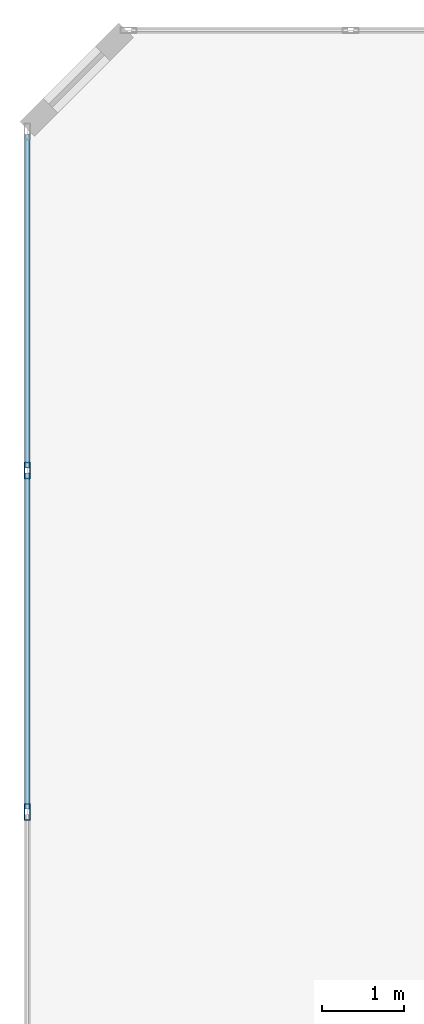
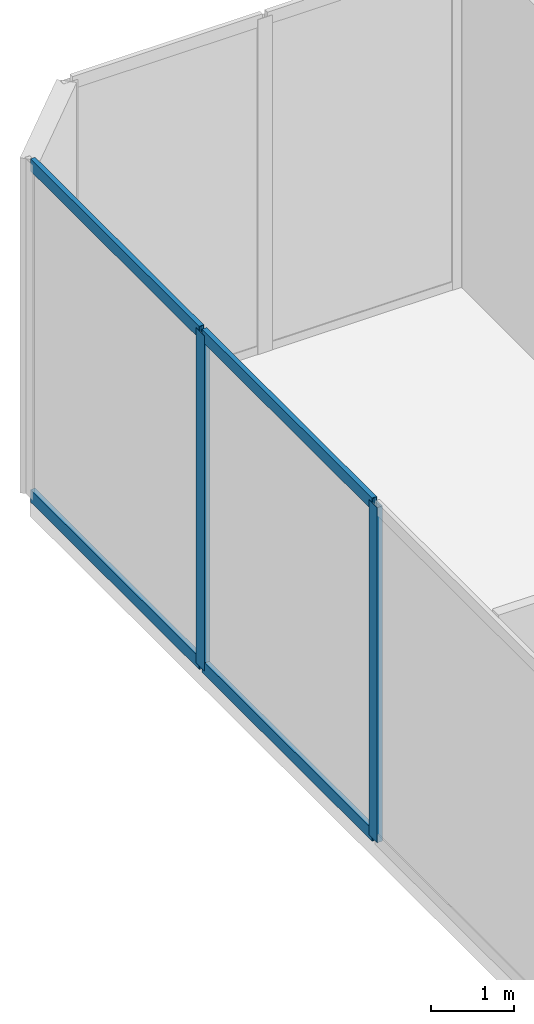
# One storey, part 4 of 10: 6 members, 1 element without a shape of its own.
"""IFC4 building model written with IfcOpenShell, lengths in metres."""

from ifc_helpers import new_model, si_unit, direction, frame, origin, origin_2d, place, context, subcontext, project, spatial, hollow_rectangle, extrude, material, layer, layer_set, material_profile, profile_set, type_object, element, aggregate, save


model = new_model("IFC4")

# Units and contexts
model_context = context("Model", 3, precision=1e-05, world=origin(), true_north=direction((0.0, 1.0)))
body_context = subcontext(model_context, "Body", "Model", "MODEL_VIEW")
ifc_project = project(units=[si_unit("LENGTHUNIT", "METRE"), si_unit("AREAUNIT", "SQUARE_METRE"), si_unit("VOLUMEUNIT", "CUBIC_METRE"), si_unit("PLANEANGLEUNIT", "RADIAN"), si_unit("MASSUNIT", "GRAM", prefix="KILO")], contexts=[model_context])

# Site, building, storey
site_placement = place(None, origin())
site = spatial("IfcSite", under=ifc_project, at=site_placement, CompositionType="ELEMENT")
building_placement = place(site_placement, origin())
building = spatial("IfcBuilding", under=site, at=building_placement, Name="Catumbela Crestline Tower", CompositionType="ELEMENT")
storey_placement = place(building_placement, frame((0.0, 0.0, 295.8)))
storey = spatial("IfcBuildingStorey", under=building, at=storey_placement, Name="L76", CompositionType="ELEMENT", Elevation=295.8)

# Curtain wall, members
ifc_material = material(Name="Aluminium alloy AW-6060-T66", Category="aluminium")
ifc_layer = layer(ifc_material, 0.18, Name="Aluminium alloy AW-6060-T66")
ifc_layer_set = layer_set([ifc_layer], Name="Aluminium alloy AW-6060-T66")
curtain_wall_type = type_object("IfcCurtainWallType", Name="CWS-OBS", PredefinedType="USERDEFINED", material=ifc_layer_set)
curtain_wall_placement = place(storey_placement, origin())
curtain_wall = element("IfcCurtainWall", 1, at=curtain_wall_placement, inside=storey, type_object=curtain_wall_type, Name="L76 Stick Curtain Wall CW-L76-E6S1", ObjectType="STICK", PredefinedType="USERDEFINED")
ifc_material_profile_1 = material_profile(ifc_material, hollow_rectangle(XDim=0.075, YDim=0.2, WallThickness=0.005, at=origin_2d()), Name="ALU 200x75x5")
ifc_profile_set_1 = profile_set([ifc_material_profile_1], Name="Aluminium alloy AW-6060-T66")
member_type_1 = type_object("IfcMemberType", Name="MUL-200X75", PredefinedType="MULLION", material=ifc_profile_set_1)
member_1_placement = place(storey_placement, frame((9.2, 37.65, 0.0), z_axis=(0.0, 0.0, 1.0), x_axis=(1.0, 0.0, 0.0)))
member_1 = element("IfcMember", 2, at=member_1_placement, type_object=member_type_1, Name="CWS-OBS mullion 2", PredefinedType="MULLION", context=body_context, shape_type="SweptSolid", body=[
    extrude(hollow_rectangle(XDim=0.075, YDim=0.2, WallThickness=0.005, at=origin_2d()), origin(), (0.0, 0.0, 1.0), 4.91),
])
member_2_placement = place(storey_placement, frame((9.2, 33.5, 0.0), z_axis=(0.0, 0.0, 1.0), x_axis=(1.0, 0.0, 0.0)))
member_2 = element("IfcMember", 3, at=member_2_placement, type_object=member_type_1, Name="CWS-OBS mullion 3", PredefinedType="MULLION", context=body_context, shape_type="SweptSolid", body=[
    extrude(hollow_rectangle(XDim=0.075, YDim=0.2, WallThickness=0.005, at=origin_2d()), origin(), (0.0, 0.0, 1.0), 4.91),
])
ifc_material_profile_2 = material_profile(ifc_material, hollow_rectangle(XDim=0.065, YDim=0.18, WallThickness=0.004, at=origin_2d()), Name="ALU 180x65x4")
ifc_profile_set_2 = profile_set([ifc_material_profile_2], Name="Aluminium alloy AW-6060-T66")
member_type_2 = type_object("IfcMemberType", Name="TRN-180X65", PredefinedType="USERDEFINED", material=ifc_profile_set_2)
member_3_placement = place(storey_placement, frame((9.2, 41.735, 0.03), z_axis=(0.0, -1.0, 0.0), x_axis=(1.0, 0.0, 0.0)))
member_3 = element("IfcMember", 4, at=member_3_placement, type_object=member_type_2, Name="CWS-OBS transom 1.1", ObjectType="TRANSOM", PredefinedType="USERDEFINED", context=body_context, shape_type="SweptSolid", body=[
    extrude(hollow_rectangle(XDim=0.065, YDim=0.18, WallThickness=0.004, at=origin_2d()), origin(), (0.0, 0.0, 1.0), 4.0525),
])
member_4_placement = place(storey_placement, frame((9.2, 41.735, 4.88), z_axis=(0.0, -1.0, 0.0), x_axis=(1.0, 0.0, 0.0)))
member_4 = element("IfcMember", 5, at=member_4_placement, type_object=member_type_2, Name="CWS-OBS transom 1.2", ObjectType="TRANSOM", PredefinedType="USERDEFINED", context=body_context, shape_type="SweptSolid", body=[
    extrude(hollow_rectangle(XDim=0.065, YDim=0.18, WallThickness=0.004, at=origin_2d()), origin(), (0.0, 0.0, 1.0), 4.0525),
])
member_5_placement = place(storey_placement, frame((9.2, 37.6175, 0.03), z_axis=(0.0, -1.0, 0.0), x_axis=(1.0, 0.0, 0.0)))
member_5 = element("IfcMember", 6, at=member_5_placement, type_object=member_type_2, Name="CWS-OBS transom 2.1", ObjectType="TRANSOM", PredefinedType="USERDEFINED", context=body_context, shape_type="SweptSolid", body=[
    extrude(hollow_rectangle(XDim=0.065, YDim=0.18, WallThickness=0.004, at=origin_2d()), origin(), (0.0, 0.0, 1.0), 4.085),
])
member_6_placement = place(storey_placement, frame((9.2, 37.6175, 4.88), z_axis=(0.0, -1.0, 0.0), x_axis=(1.0, 0.0, 0.0)))
member_6 = element("IfcMember", 7, at=member_6_placement, type_object=member_type_2, Name="CWS-OBS transom 2.2", ObjectType="TRANSOM", PredefinedType="USERDEFINED", context=body_context, shape_type="SweptSolid", body=[
    extrude(hollow_rectangle(XDim=0.065, YDim=0.18, WallThickness=0.004, at=origin_2d()), origin(), (0.0, 0.0, 1.0), 4.085),
])
aggregate(curtain_wall, [member_1, member_2, member_3, member_4, member_5, member_6])

save(model, "model.ifc")
